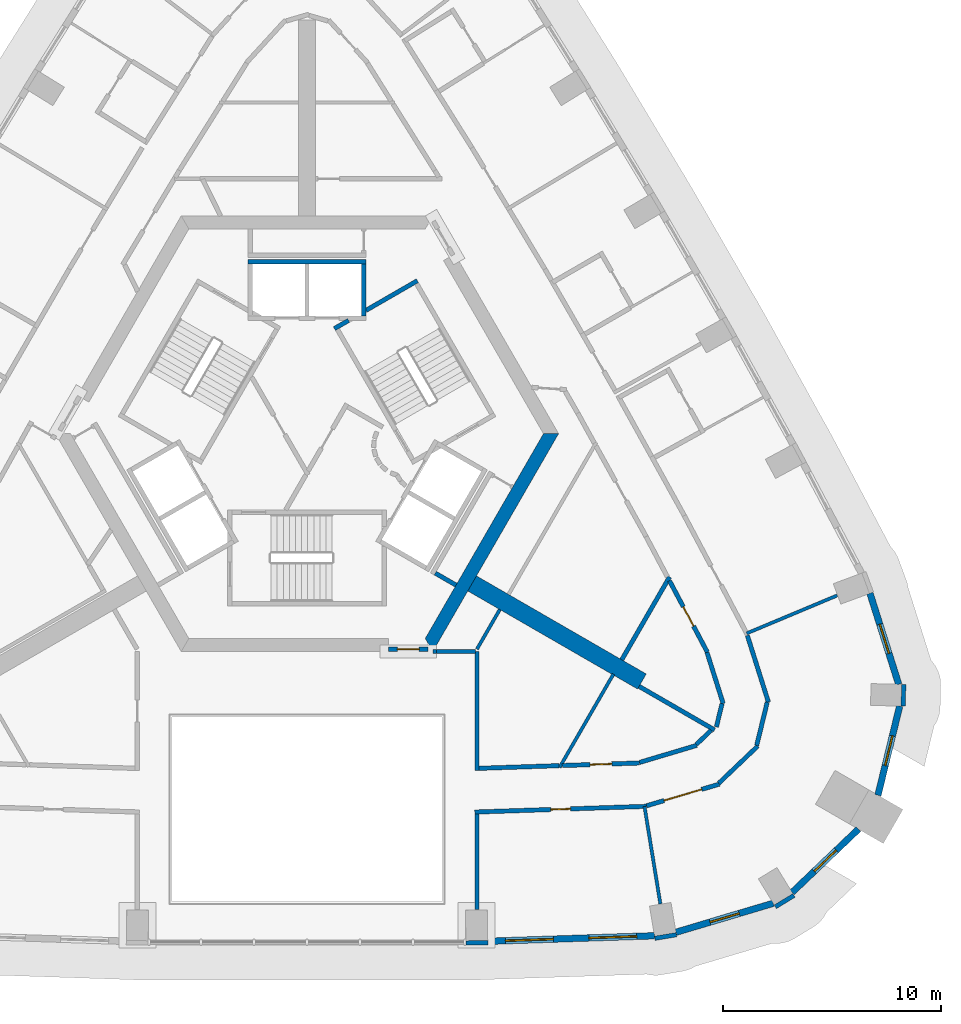
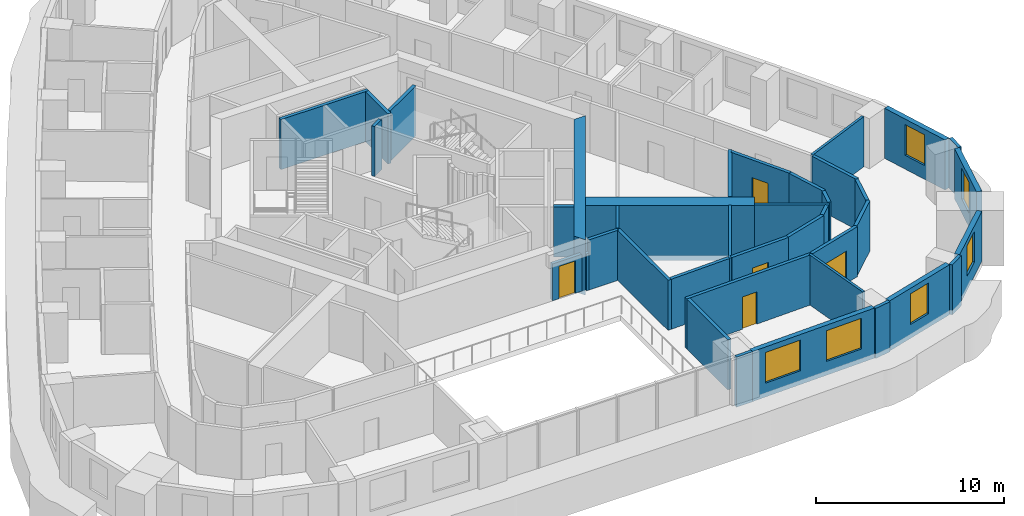
# One storey, part 6 of 13: 39 walls, 6 windows, 5 doors, 11 openings.
"""IFC4 building model written with IfcOpenShell, lengths in metres."""

from ifc_helpers import new_model, si_unit, direction, frame, frame_2d, origin, place, context, subcontext, project, spatial, polyline, rectangle, outline, extrude, material, layer, layer_set, type_object, element, fill, save


model = new_model("IFC4")

# Units and contexts
model_context = context("Model", 3, precision=1e-05, world=origin(), true_north=direction((0.0, 1.0)))
body_context = subcontext(model_context, "Body", "Model", "MODEL_VIEW")
ifc_project = project(units=[si_unit("LENGTHUNIT", "METRE"), si_unit("AREAUNIT", "SQUARE_METRE"), si_unit("VOLUMEUNIT", "CUBIC_METRE"), si_unit("PLANEANGLEUNIT", "RADIAN"), si_unit("MASSUNIT", "GRAM", prefix="KILO")], contexts=[model_context])

# Site, building, storey
site_placement = place(None, origin())
site = spatial("IfcSite", under=ifc_project, at=site_placement, CompositionType="ELEMENT")
building_placement = place(site_placement, origin())
building = spatial("IfcBuilding", under=site, at=building_placement, Name="Entoto Arch Interchange Tower", CompositionType="ELEMENT")
storey_placement = place(building_placement, frame((0.0, 0.0, 266.60009765625)))
storey = spatial("IfcBuildingStorey", under=building, at=storey_placement, Name="L61", CompositionType="ELEMENT", Elevation=266.60009765625)

# Wall
ifc_material_1 = material(Name="Concrete C40/50", Category="concrete")
ifc_layer_1 = layer(ifc_material_1, 0.800048828125)
ifc_layer_set_1 = layer_set([ifc_layer_1], Name="Concrete C40/50")
wall_type_1 = type_object("IfcWallType", Name="Buttress wall 800 C40/50", PredefinedType="SHEAR", material=ifc_layer_set_1)
wall_1_placement = place(storey_placement, frame((7.577880859375, -4.375, -0.340087890625), z_axis=(0.0, 0.0, 1.0), x_axis=(0.866024315419, -0.5000018851, 0.0)))
element("IfcWall", 1, at=wall_1_placement, inside=storey, type_object=wall_type_1, Name="Buttress wall SE L61", PredefinedType="SHEAR", context=body_context, shape_type="SweptSolid", body=[
    extrude(rectangle(XDim=9.0, YDim=0.800048828125, at=frame_2d((4.5, 0.0))), origin(), (0.0, 0.0, 1.0), 3.60009765625),
])

# Wall, opening, door
ifc_material_2 = material(Name="Reinforced concrete C40/50", Category="concrete")
ifc_layer_2 = layer(ifc_material_2, 0.199951171875)
ifc_layer_set_2 = layer_set([ifc_layer_2], Name="Reinforced concrete C40/50")
wall_type_2 = type_object("IfcWallType", Name="CORE GAP INFILL WALL", PredefinedType="PARTITIONING", material=ifc_layer_set_2)
wall_2_placement = place(storey_placement, frame((3.75, -7.39990234375, 0.0), z_axis=(0.0, 0.0, 1.0), x_axis=(1.0, 0.0, 0.0)))
wall_2 = element("IfcWall", 2, at=wall_2_placement, inside=storey, type_object=wall_type_2, Name="wall:L61:gap1", PredefinedType="PARTITIONING", context=body_context, shape_type="SweptSolid", body=[
    extrude(rectangle(XDim=1.7939453125, YDim=0.199951171875, at=frame_2d((0.89697265625, 0.0))), origin(), (0.0, 0.0, 1.0), 2.39990234375),
])
opening_1_placement = place(wall_2_placement, frame((0.39697265625, 0.0, 0.0)))
opening_1 = element("IfcOpeningElement", 3, at=opening_1_placement, cuts=wall_2, Name="Opening L61-D91", PredefinedType="OPENING", context=body_context, shape_type="SweptSolid", body=[
    extrude(rectangle(XDim=1.0, YDim=2.10009765625, at=frame_2d((0.5, 1.050048828125))), frame((0.0, 0.10986328125, 0.0), z_axis=(0.0, -1.0, 0.0), x_axis=(1.0, 0.0, 0.0)), (0.0, 0.0, 1.0), 0.219970703125),
])
ifc_material_3 = material(Name="Fire-rated Steel S235 door and frame", Category="steel")
door_type_1 = type_object("IfcDoorType", Name="DOOR FD-10 1000x2100", OperationType="SINGLE_SWING_LEFT", PredefinedType="DOOR", material=ifc_material_3)
door_1_placement = place(opening_1_placement, origin())
door_1 = element("IfcDoor", 4, at=door_1_placement, inside=storey, type_object=door_type_1, Name="door:L61:gap1", OperationType="SINGLE_SWING_LEFT", OverallHeight=2.10009765625, OverallWidth=1.0, PredefinedType="DOOR", context=body_context, shape_type="SweptSolid", body=[
    extrude(rectangle(XDim=1.0, YDim=2.10009765625, at=frame_2d((0.5, 1.050048828125))), frame((0.0, 0.02490234375, 0.0), z_axis=(0.0, -1.0, 0.0), x_axis=(1.0, 0.0, 0.0)), (0.0, 0.0, 1.0), 0.050048828125),
])
fill(opening_1, door_1)

# Walls
ifc_layer_3 = layer(ifc_material_1, 0.60009765625)
ifc_layer_set_3 = layer_set([ifc_layer_3], Name="Concrete C40/50")
wall_type_3 = type_object("IfcWallType", Name="Core wall 600 C40/50", PredefinedType="SHEAR", material=ifc_layer_set_3)
wall_3_placement = place(storey_placement, frame((0.0, 0.0, -0.340087890625)))
element("IfcWall", 5, at=wall_3_placement, inside=storey, type_object=wall_type_3, Name="Core wall SE L61", PredefinedType="SHEAR", context=body_context, shape_type="SweptSolid", body=[
    extrude(outline(polyline([(5.77392578125, -7.5), (11.547119140625, 2.5), (10.85400390625, 2.5), (5.427001953125, -6.89990234375), (5.77392578125, -7.5)])), origin(), (0.0, 0.0, 1.0), 3.60009765625),
])
ifc_layer_4 = layer(ifc_material_1, 0.199951171875)
ifc_layer_set_4 = layer_set([ifc_layer_4], Name="Concrete C40/50")
wall_type_4 = type_object("IfcWallType", Name="LIFT SHAFT WALL 200", PredefinedType="STANDARD", material=ifc_layer_set_4)
wall_4_placement = place(storey_placement, frame((2.699951171875, 10.39990234375, 0.0), z_axis=(0.0, 0.0, 1.0), x_axis=(-1.0, 0.0, 0.0)))
element("IfcWall", 6, at=wall_4_placement, inside=storey, type_object=wall_type_4, Name="Shaft wall N1 back", PredefinedType="STANDARD", context=body_context, shape_type="SweptSolid", body=[
    extrude(rectangle(XDim=5.39990234375, YDim=0.199951171875, at=frame_2d((2.699951171875, 0.0))), origin(), (0.0, 0.0, 1.0), 3.260009765625),
])
wall_5_placement = place(storey_placement, frame((2.60009765625, 7.89990234375, 0.0), z_axis=(0.0, 0.0, 1.0), x_axis=(0.0, 1.0, 0.0)))
element("IfcWall", 7, at=wall_5_placement, inside=storey, type_object=wall_type_4, Name="Shaft wall N1 cross 1", PredefinedType="STANDARD", context=body_context, shape_type="SweptSolid", body=[
    extrude(rectangle(XDim=2.400146484375, YDim=0.199951171875, at=frame_2d((1.2001953125, 0.0))), origin(), (0.0, 0.0, 1.0), 3.260009765625),
])
ifc_material_4 = material(Name="Gypsum board partition on steel studs", Category="steel")
ifc_layer_5 = layer(ifc_material_4, 0.14990234375)
ifc_layer_set_5 = layer_set([ifc_layer_5], Name="Gypsum board partition on steel studs")
wall_type_5 = type_object("IfcWallType", Name="PARTITION 150", PredefinedType="PARTITIONING", material=ifc_layer_set_5)
wall_6_placement = place(storey_placement, frame((7.800048828125, -7.389892578125, 0.0), z_axis=(0.0, 0.0, 1.0), x_axis=(0.499977374825, 0.866038466041, 0.0)))
element("IfcWall", 8, at=wall_6_placement, inside=storey, type_object=wall_type_5, Name="wall:L61:p085", PredefinedType="PARTITIONING", context=body_context, shape_type="SweptSolid", body=[
    extrude(rectangle(XDim=2.10009765625, YDim=0.14990234375, at=frame_2d((1.050048828125, 0.0))), origin(), (0.0, 0.0, 1.0), 3.260009765625),
])
wall_7_placement = place(storey_placement, frame((14.06689453125, -8.535888671875, 0.0), z_axis=(0.0, 0.0, 1.0), x_axis=(-0.500100941679, -0.865967117235, 0.0)))
element("IfcWall", 9, at=wall_7_placement, inside=storey, type_object=wall_type_5, Name="wall:L61:p105", PredefinedType="PARTITIONING", context=body_context, shape_type="SweptSolid", body=[
    extrude(rectangle(XDim=4.95068359375, YDim=0.14990234375, at=frame_2d((2.475341796875, 0.0))), origin(), (0.0, 0.0, 1.0), 3.260009765625),
])
wall_8_placement = place(storey_placement, frame((15.490966796875, -14.610107421875, 0.0), z_axis=(0.0, 0.0, 1.0), x_axis=(0.160928343418, -0.986966092774, 0.0)))
element("IfcWall", 10, at=wall_8_placement, inside=storey, type_object=wall_type_5, Name="wall:L61:p111", PredefinedType="PARTITIONING", context=body_context, shape_type="SweptSolid", body=[
    extrude(rectangle(XDim=4.530029296875, YDim=0.14990234375, at=frame_2d((2.26513671875, 0.0))), origin(), (0.0, 0.0, 1.0), 3.260009765625),
])
wall_9_placement = place(storey_placement, frame((20.18310546875, -6.666015625, 0.0), z_axis=(0.0, 0.0, 1.0), x_axis=(0.922347108299, 0.386362280525, 0.0)))
element("IfcWall", 11, at=wall_9_placement, inside=storey, type_object=wall_type_5, Name="wall:L61:p112", PredefinedType="PARTITIONING", context=body_context, shape_type="SweptSolid", body=[
    extrude(rectangle(XDim=4.50341796875, YDim=0.14990234375, at=frame_2d((2.251708984375, 0.0))), origin(), (0.0, 0.0, 1.0), 3.260009765625),
])
ifc_layer_6 = layer(ifc_material_4, 0.199951171875)
ifc_layer_set_6 = layer_set([ifc_layer_6], Name="Gypsum board partition on steel studs")
wall_type_6 = type_object("IfcWallType", Name="PARTITION 200", PredefinedType="PARTITIONING", material=ifc_layer_set_6)
wall_10_placement = place(storey_placement, frame((7.89990234375, -12.861083984375, 0.0), z_axis=(0.0, 0.0, 1.0), x_axis=(0.999446088303, 0.033279371614, 0.0)))
element("IfcWall", 12, at=wall_10_placement, inside=storey, type_object=wall_type_6, Name="wall:L61:p020", PredefinedType="PARTITIONING", context=body_context, shape_type="SweptSolid", body=[
    extrude(rectangle(XDim=3.66796875, YDim=0.199951171875, at=frame_2d((1.833984375, 0.0))), origin(), (0.0, 0.0, 1.0), 3.260009765625),
])

# Wall, opening, door
wall_11_placement = place(storey_placement, frame((11.716064453125, -12.73388671875, 0.0), z_axis=(0.0, 0.0, 1.0), x_axis=(0.999449093602, 0.03318899362, 0.0)))
wall_11 = element("IfcWall", 13, at=wall_11_placement, inside=storey, type_object=wall_type_6, Name="wall:L61:p023", PredefinedType="PARTITIONING", context=body_context, shape_type="SweptSolid", body=[
    extrude(rectangle(XDim=3.552978515625, YDim=0.199951171875, at=frame_2d((1.7763671875, 0.0))), origin(), (0.0, 0.0, 1.0), 3.260009765625),
])
opening_2_placement = place(wall_11_placement, frame((1.27587890625, 0.0, 0.0)))
opening_2 = element("IfcOpeningElement", 14, at=opening_2_placement, cuts=wall_11, Name="Opening L61-D25", PredefinedType="OPENING", context=body_context, shape_type="SweptSolid", body=[
    extrude(rectangle(XDim=1.0, YDim=2.10009765625, at=frame_2d((0.5, 1.050048828125))), frame((0.0, 0.10986328125, 0.0), z_axis=(0.0, -1.0, 0.0), x_axis=(1.0, 0.0, 0.0)), (0.0, 0.0, 1.0), 0.219970703125),
])
ifc_material_5 = material(Name="Timber door leaf in Steel S235 frame", Category="steel")
door_type_2 = type_object("IfcDoorType", Name="DOOR DS-10 1000x2100", OperationType="SINGLE_SWING_LEFT", PredefinedType="DOOR", material=ifc_material_5)
door_2_placement = place(opening_2_placement, origin())
door_2 = element("IfcDoor", 15, at=door_2_placement, inside=storey, type_object=door_type_2, Name="door:L61:25", OperationType="SINGLE_SWING_LEFT", OverallHeight=2.10009765625, OverallWidth=1.0, PredefinedType="DOOR", context=body_context, shape_type="SweptSolid", body=[
    extrude(rectangle(XDim=1.0, YDim=2.10009765625, at=frame_2d((0.5, 1.050048828125))), frame((0.0, 0.02490234375, 0.0), z_axis=(0.0, -1.0, 0.0), x_axis=(1.0, 0.0, 0.0)), (0.0, 0.0, 1.0), 0.050048828125),
])
fill(opening_2, door_2)

# Walls
wall_12_placement = place(storey_placement, frame((15.262939453125, -12.591064453125, 0.0), z_axis=(0.0, 0.0, 1.0), x_axis=(0.958253964342, 0.285918414628, 0.0)))
element("IfcWall", 16, at=wall_12_placement, inside=storey, type_object=wall_type_6, Name="wall:L61:p024", PredefinedType="PARTITIONING", context=body_context, shape_type="SweptSolid", body=[
    extrude(rectangle(XDim=2.74267578125, YDim=0.199951171875, at=frame_2d((1.371337890625, 0.0))), origin(), (0.0, 0.0, 1.0), 3.260009765625),
])
wall_13_placement = place(storey_placement, frame((17.867919921875, -11.76708984375, 0.0), z_axis=(0.0, 0.0, 1.0), x_axis=(0.723402701671, 0.690426340181, 0.0)))
element("IfcWall", 17, at=wall_13_placement, inside=storey, type_object=wall_type_6, Name="wall:L61:p025", PredefinedType="PARTITIONING", context=body_context, shape_type="SweptSolid", body=[
    extrude(rectangle(XDim=0.940185546875, YDim=0.199951171875, at=frame_2d((0.47021484375, 0.0))), origin(), (0.0, 0.0, 1.0), 3.260009765625),
])
wall_14_placement = place(storey_placement, frame((18.791015625, -10.9609375, 0.0), z_axis=(0.0, 0.0, 1.0), x_axis=(0.236572634589, 0.971613806285, 0.0)))
element("IfcWall", 18, at=wall_14_placement, inside=storey, type_object=wall_type_6, Name="wall:L61:p026", PredefinedType="PARTITIONING", context=body_context, shape_type="SweptSolid", body=[
    extrude(rectangle(XDim=1.09912109375, YDim=0.199951171875, at=frame_2d((0.549560546875, 0.0))), origin(), (0.0, 0.0, 1.0), 3.260009765625),
])
wall_15_placement = place(storey_placement, frame((19.10400390625, -9.89111328125, 0.0), z_axis=(0.0, 0.0, 1.0), x_axis=(-0.301325410186, 0.953521366922, 0.0)))
element("IfcWall", 19, at=wall_15_placement, inside=storey, type_object=wall_type_6, Name="wall:L61:p027", PredefinedType="PARTITIONING", context=body_context, shape_type="SweptSolid", body=[
    extrude(rectangle(XDim=2.46875, YDim=0.199951171875, at=frame_2d((1.234375, 0.0))), origin(), (0.0, 0.0, 1.0), 3.260009765625),
])

# Wall, opening, door
wall_16_placement = place(storey_placement, frame((18.376953125, -7.530029296875, 0.0), z_axis=(0.0, 0.0, 1.0), x_axis=(-0.468214048123, 0.883615077474, 0.0)))
wall_16 = element("IfcWall", 20, at=wall_16_placement, inside=storey, type_object=wall_type_6, Name="wall:L61:p028", PredefinedType="PARTITIONING", context=body_context, shape_type="SweptSolid", body=[
    extrude(rectangle(XDim=3.712158203125, YDim=0.199951171875, at=frame_2d((1.85595703125, 0.0))), origin(), (0.0, 0.0, 1.0), 3.260009765625),
])
opening_3_placement = place(wall_16_placement, frame((1.35595703125, 0.0, 0.0)))
opening_3 = element("IfcOpeningElement", 21, at=opening_3_placement, cuts=wall_16, Name="Opening L61-D26", PredefinedType="OPENING", context=body_context, shape_type="SweptSolid", body=[
    extrude(rectangle(XDim=1.0, YDim=2.10009765625, at=frame_2d((0.5, 1.050048828125))), frame((0.0, 0.10986328125, 0.0), z_axis=(0.0, -1.0, 0.0), x_axis=(1.0, 0.0, 0.0)), (0.0, 0.0, 1.0), 0.219970703125),
])
door_3_placement = place(opening_3_placement, origin())
door_3 = element("IfcDoor", 22, at=door_3_placement, inside=storey, type_object=door_type_2, Name="door:L61:26", OperationType="SINGLE_SWING_RIGHT", OverallHeight=2.10009765625, OverallWidth=1.0, PredefinedType="DOOR", context=body_context, shape_type="SweptSolid", body=[
    extrude(rectangle(XDim=1.0, YDim=2.10009765625, at=frame_2d((0.5, 1.050048828125))), frame((0.0, 0.02490234375, 0.0), z_axis=(0.0, -1.0, 0.0), x_axis=(1.0, 0.0, 0.0)), (0.0, 0.0, 1.0), 0.050048828125),
])
fill(opening_3, door_3)

wall_17_placement = place(storey_placement, frame((15.591064453125, -14.60595703125, 0.0), z_axis=(0.0, 0.0, 1.0), x_axis=(-0.999445318732, -0.03330247535, 0.0)))
wall_17 = element("IfcWall", 23, at=wall_17_placement, inside=storey, type_object=wall_type_6, Name="wall:L61:p038", PredefinedType="PARTITIONING", context=body_context, shape_type="SweptSolid", body=[
    extrude(rectangle(XDim=7.8955078125, YDim=0.199951171875, at=frame_2d((3.94775390625, 0.0))), origin(), (0.0, 0.0, 1.0), 3.260009765625),
])
opening_4_placement = place(wall_17_placement, frame((3.498046875, 0.0, 0.0)))
opening_4 = element("IfcOpeningElement", 24, at=opening_4_placement, cuts=wall_17, Name="Opening L61-D19", PredefinedType="OPENING", context=body_context, shape_type="SweptSolid", body=[
    extrude(rectangle(XDim=0.89990234375, YDim=2.10009765625, at=frame_2d((0.449951171875, 1.050048828125))), frame((0.0, 0.10986328125, 0.0), z_axis=(0.0, -1.0, 0.0), x_axis=(1.0, 0.0, 0.0)), (0.0, 0.0, 1.0), 0.219970703125),
])
door_type_3 = type_object("IfcDoorType", Name="DOOR DS-09 900x2100", OperationType="SINGLE_SWING_LEFT", PredefinedType="DOOR", material=ifc_material_5)
door_4_placement = place(opening_4_placement, origin())
door_4 = element("IfcDoor", 25, at=door_4_placement, inside=storey, type_object=door_type_3, Name="door:L61:19", OperationType="SINGLE_SWING_LEFT", OverallHeight=2.10009765625, OverallWidth=0.89990234375, PredefinedType="DOOR", context=body_context, shape_type="SweptSolid", body=[
    extrude(rectangle(XDim=0.89990234375, YDim=2.10009765625, at=frame_2d((0.449951171875, 1.050048828125))), frame((0.0, 0.02490234375, 0.0), z_axis=(0.0, -1.0, 0.0), x_axis=(1.0, 0.0, 0.0)), (0.0, 0.0, 1.0), 0.050048828125),
])
fill(opening_4, door_4)

# Walls
wall_18_placement = place(storey_placement, frame((20.212890625, -6.760986328125, 0.0), z_axis=(0.0, 0.0, 1.0), x_axis=(0.301331608119, -0.953519408271, 0.0)))
element("IfcWall", 26, at=wall_18_placement, inside=storey, type_object=wall_type_6, Name="wall:L61:p039", PredefinedType="PARTITIONING", context=body_context, shape_type="SweptSolid", body=[
    extrude(rectangle(XDim=3.209228515625, YDim=0.199951171875, at=frame_2d((1.6044921875, 0.0))), origin(), (0.0, 0.0, 1.0), 3.260009765625),
])
wall_19_placement = place(storey_placement, frame((21.1259765625, -9.822998046875, 0.0), z_axis=(0.0, 0.0, 1.0), x_axis=(-0.236372924437, -0.971662410816, 0.0)))
element("IfcWall", 27, at=wall_19_placement, inside=storey, type_object=wall_type_6, Name="wall:L61:p040", PredefinedType="PARTITIONING", context=body_context, shape_type="SweptSolid", body=[
    extrude(rectangle(XDim=2.04296875, YDim=0.199951171875, at=frame_2d((1.021484375, 0.0))), origin(), (0.0, 0.0, 1.0), 3.260009765625),
])
wall_20_placement = place(storey_placement, frame((20.69189453125, -11.8369140625, 0.0), z_axis=(0.0, 0.0, 1.0), x_axis=(-0.723668833869, -0.690147389248, 0.0)))
element("IfcWall", 28, at=wall_20_placement, inside=storey, type_object=wall_type_6, Name="wall:L61:p041", PredefinedType="PARTITIONING", context=body_context, shape_type="SweptSolid", body=[
    extrude(rectangle(XDim=2.476318359375, YDim=0.199951171875, at=frame_2d((1.23828125, 0.0))), origin(), (0.0, 0.0, 1.0), 3.260009765625),
])

# Wall, opening, door
wall_21_placement = place(storey_placement, frame((18.924072265625, -13.5869140625, 0.0), z_axis=(0.0, 0.0, 1.0), x_axis=(-0.958378336681, -0.285501250052, 0.0)))
wall_21 = element("IfcWall", 29, at=wall_21_placement, inside=storey, type_object=wall_type_6, Name="wall:L61:p042", PredefinedType="PARTITIONING", context=body_context, shape_type="SweptSolid", body=[
    extrude(rectangle(XDim=3.482177734375, YDim=0.199951171875, at=frame_2d((1.7412109375, 0.0))), origin(), (0.0, 0.0, 1.0), 3.260009765625),
])
opening_5_placement = place(wall_21_placement, frame((0.841064453125, 0.0, 0.0)))
opening_5 = element("IfcOpeningElement", 30, at=opening_5_placement, cuts=wall_21, Name="Opening L61-D20", PredefinedType="OPENING", context=body_context, shape_type="SweptSolid", body=[
    extrude(rectangle(XDim=1.800048828125, YDim=2.10009765625, at=frame_2d((0.89990234375, 1.050048828125))), frame((0.0, 0.10986328125, 0.0), z_axis=(0.0, -1.0, 0.0), x_axis=(1.0, 0.0, 0.0)), (0.0, 0.0, 1.0), 0.219970703125),
])
door_type_4 = type_object("IfcDoorType", Name="DOOR DD-18 1800x2100", OperationType="DOUBLE_DOOR_SINGLE_SWING", PredefinedType="DOOR", material=ifc_material_5)
door_5_placement = place(opening_5_placement, origin())
door_5 = element("IfcDoor", 31, at=door_5_placement, inside=storey, type_object=door_type_4, Name="door:L61:20", OperationType="DOUBLE_DOOR_SINGLE_SWING", OverallHeight=2.10009765625, OverallWidth=1.800048828125, PredefinedType="DOOR", context=body_context, shape_type="SweptSolid", body=[
    extrude(rectangle(XDim=1.800048828125, YDim=2.10009765625, at=frame_2d((0.89990234375, 1.050048828125))), frame((0.0, 0.02490234375, 0.0), z_axis=(0.0, -1.0, 0.0), x_axis=(1.0, 0.0, 0.0)), (0.0, 0.0, 1.0), 0.050048828125),
])
fill(opening_5, door_5)

# Walls
wall_22_placement = place(storey_placement, frame((6.841064453125, -4.451904296875, 0.0), z_axis=(0.0, 0.0, 1.0), x_axis=(-0.86621513555, 0.499671230855, 0.0)))
element("IfcWall", 32, at=wall_22_placement, inside=storey, type_object=wall_type_6, Name="wall:L61:p077", PredefinedType="PARTITIONING", context=body_context, shape_type="SweptSolid", body=[
    extrude(rectangle(XDim=1.100341796875, YDim=0.199951171875, at=frame_2d((0.55029296875, 0.0))), origin(), (0.0, 0.0, 1.0), 3.260009765625),
])
wall_23_placement = place(storey_placement, frame((5.77490234375, -7.4990234375, 0.0), z_axis=(0.0, 0.0, 1.0), x_axis=(1.0, 0.0, 0.0)))
element("IfcWall", 33, at=wall_23_placement, inside=storey, type_object=wall_type_6, Name="wall:L61:p084", PredefinedType="PARTITIONING", context=body_context, shape_type="SweptSolid", body=[
    extrude(rectangle(XDim=0.169189453125, YDim=0.199951171875, at=frame_2d((0.08447265625, 0.0))), origin(), (0.0, 0.0, 1.0), 2.39990234375),
])
wall_24_placement = place(storey_placement, frame((7.800048828125, -7.4990234375, 0.0), z_axis=(0.0, 0.0, 1.0), x_axis=(0.0, -1.0, 0.0)))
element("IfcWall", 34, at=wall_24_placement, inside=storey, type_object=wall_type_6, Name="wall:L61:p098", PredefinedType="PARTITIONING", context=body_context, shape_type="SweptSolid", body=[
    extrude(rectangle(XDim=5.465087890625, YDim=0.199951171875, at=frame_2d((2.732421875, 0.0))), origin(), (0.0, 0.0, 1.0), 3.260009765625),
])
wall_25_placement = place(storey_placement, frame((7.800048828125, -14.966064453125, 0.0), z_axis=(0.0, 0.0, 1.0), x_axis=(0.0, -1.0, 0.0)))
element("IfcWall", 35, at=wall_25_placement, inside=storey, type_object=wall_type_6, Name="wall:L61:p102", PredefinedType="PARTITIONING", context=body_context, shape_type="SweptSolid", body=[
    extrude(rectangle(XDim=4.383056640625, YDim=0.199951171875, at=frame_2d((2.19140625, 0.0))), origin(), (0.0, 0.0, 1.0), 3.260009765625),
])
wall_26_placement = place(storey_placement, frame((16.64208984375, -4.074951171875, 0.0), z_axis=(0.0, 0.0, 1.0), x_axis=(-0.49980426207, -0.866138383641, 0.0)))
element("IfcWall", 36, at=wall_26_placement, inside=storey, type_object=wall_type_6, Name="wall:L61:p106", PredefinedType="PARTITIONING", context=body_context, shape_type="SweptSolid", body=[
    extrude(rectangle(XDim=4.391845703125, YDim=0.199951171875, at=frame_2d((2.19580078125, 0.0))), origin(), (0.0, 0.0, 1.0), 3.260009765625),
])
wall_27_placement = place(storey_placement, frame((15.242919921875, -9.09912109375, 0.0), z_axis=(0.0, 0.0, 1.0), x_axis=(0.866026010844, -0.49999894854, 0.0)))
element("IfcWall", 37, at=wall_27_placement, inside=storey, type_object=wall_type_6, Name="wall:L61:p107", PredefinedType="PARTITIONING", context=body_context, shape_type="SweptSolid", body=[
    extrude(rectangle(XDim=4.0, YDim=0.199951171875, at=frame_2d((2.0, 0.0))), origin(), (0.0, 0.0, 1.0), 3.260009765625),
])
wall_28_placement = place(storey_placement, frame((5.944091796875, -7.4990234375, 0.0), z_axis=(0.0, 0.0, 1.0), x_axis=(1.0, 0.0, 0.0)))
element("IfcWall", 38, at=wall_28_placement, inside=storey, type_object=wall_type_6, Name="wall:L61:p084", PredefinedType="PARTITIONING", context=body_context, shape_type="SweptSolid", body=[
    extrude(rectangle(XDim=1.79296875, YDim=0.199951171875, at=frame_2d((0.896484375, 0.0))), origin(), (0.0, 0.0, 1.0), 3.260009765625),
])
ifc_layer_7 = layer(ifc_material_1, 0.199951171875)
ifc_layer_set_7 = layer_set([ifc_layer_7], Name="Concrete C40/50")
wall_type_7 = type_object("IfcWallType", Name="STAIR ENCLOSURE WALL 200", PredefinedType="STANDARD", material=ifc_layer_set_7)
wall_29_placement = place(storey_placement, frame((2.699951171875, 8.157958984375, 0.0), z_axis=(0.0, 0.0, 1.0), x_axis=(0.86611865017, 0.499838457731, 0.0)))
element("IfcWall", 39, at=wall_29_placement, inside=storey, type_object=wall_type_7, Name="Stair wall ST-NE far", PredefinedType="STANDARD", context=body_context, shape_type="SweptSolid", body=[
    extrude(rectangle(XDim=2.73291015625, YDim=0.199951171875, at=frame_2d((1.366455078125, 0.0))), origin(), (0.0, 0.0, 1.0), 3.260009765625),
])
wall_30_placement = place(storey_placement, frame((1.256103515625, 7.323974609375, 0.0), z_axis=(0.0, 0.0, 1.0), x_axis=(0.865915093549, 0.500191014278, 0.0)))
element("IfcWall", 40, at=wall_30_placement, inside=storey, type_object=wall_type_7, Name="Stair wall ST-NE far return", PredefinedType="STANDARD", context=body_context, shape_type="SweptSolid", body=[
    extrude(rectangle(XDim=0.751708984375, YDim=0.199951171875, at=frame_2d((0.3759765625, 0.0))), origin(), (0.0, 0.0, 1.0), 3.260009765625),
])

# Wall, openings, windows
ifc_material_6 = material(Name="Welded tuff (ignimbrite) cladding, warm buff", Category="masonry")
ifc_layer_8 = layer(ifc_material_6, 0.300048828125)
ifc_layer_set_8 = layer_set([ifc_layer_8], Name="Welded tuff (ignimbrite) cladding, warm buff")
wall_type_8 = type_object("IfcWallType", Name="STONE INFILL WALL 300", PredefinedType="STANDARD", material=ifc_layer_set_8)
wall_31_placement = place(storey_placement, frame((8.2958984375, -20.802001953125, 0.0), z_axis=(0.0, 0.0, 1.0), x_axis=(0.999450376985, 0.033150323459, 0.0)))
wall_31 = element("IfcWall", 41, at=wall_31_placement, inside=storey, type_object=wall_type_8, Name="Facade wall S-03 L61", PredefinedType="STANDARD", context=body_context, shape_type="SweptSolid", body=[
    extrude(rectangle(XDim=7.6591796875, YDim=0.300048828125, at=frame_2d((3.82958984375, 0.0))), origin(), (0.0, 0.0, 1.0), 3.260009765625),
])
opening_6_placement = place(wall_31_placement, frame((0.81494140625, 0.0, 0.89990234375)))
opening_6 = element("IfcOpeningElement", 42, at=opening_6_placement, cuts=wall_31, Name="Opening WH-A", PredefinedType="OPENING", context=body_context, shape_type="SweptSolid", body=[
    extrude(rectangle(XDim=2.199951171875, YDim=2.0, at=frame_2d((1.10009765625, 1.0))), frame((0.0, 0.16015625, 0.0), z_axis=(0.0, -1.0, 0.0), x_axis=(1.0, 0.0, 0.0)), (0.0, 0.0, 1.0), 0.320068359375),
])
opening_7_placement = place(wall_31_placement, frame((4.64404296875, 0.0, 0.89990234375)))
opening_7 = element("IfcOpeningElement", 43, at=opening_7_placement, cuts=wall_31, Name="Opening WH-A", PredefinedType="OPENING", context=body_context, shape_type="SweptSolid", body=[
    extrude(rectangle(XDim=2.199951171875, YDim=2.0, at=frame_2d((1.10009765625, 1.0))), frame((0.0, 0.16015625, 0.0), z_axis=(0.0, -1.0, 0.0), x_axis=(1.0, 0.0, 0.0)), (0.0, 0.0, 1.0), 0.320068359375),
])
ifc_material_7 = material(Name="Clear glass, low-e double glazed", Category="glass")
window_type_1 = type_object("IfcWindowType", Name="WINDOW WH-A 2200x2000", PartitioningType="DOUBLE_PANEL_VERTICAL", PredefinedType="WINDOW", material=ifc_material_7)
window_1_placement = place(opening_6_placement, origin())
window_1 = element("IfcWindow", 44, at=window_1_placement, inside=storey, type_object=window_type_1, Name="Window WH-A S-03 L61", OverallHeight=2.0, OverallWidth=2.199951171875, PartitioningType="SINGLE_PANEL", PredefinedType="WINDOW", context=body_context, shape_type="SweptSolid", body=[
    extrude(rectangle(XDim=2.199951171875, YDim=2.0, at=frame_2d((1.10009765625, 1.0))), frame((0.0, 0.030029296875, 0.0), z_axis=(0.0, -1.0, 0.0), x_axis=(1.0, 0.0, 0.0)), (0.0, 0.0, 1.0), 0.06005859375),
])
fill(opening_6, window_1)
window_2_placement = place(opening_7_placement, origin())
window_2 = element("IfcWindow", 45, at=window_2_placement, inside=storey, type_object=window_type_1, Name="Window WH-A S-03 L61", OverallHeight=2.0, OverallWidth=2.199951171875, PartitioningType="SINGLE_PANEL", PredefinedType="WINDOW", context=body_context, shape_type="SweptSolid", body=[
    extrude(rectangle(XDim=2.199951171875, YDim=2.0, at=frame_2d((1.10009765625, 1.0))), frame((0.0, 0.030029296875, 0.0), z_axis=(0.0, -1.0, 0.0), x_axis=(1.0, 0.0, 0.0)), (0.0, 0.0, 1.0), 0.06005859375),
])
fill(opening_7, window_2)

# Wall, opening, window
wall_32_placement = place(storey_placement, frame((16.93701171875, -20.386962890625, 0.0), z_axis=(0.0, 0.0, 1.0), x_axis=(0.958361270465, 0.285558532131, 0.0)))
wall_32 = element("IfcWall", 46, at=wall_32_placement, inside=storey, type_object=wall_type_8, Name="Facade wall SE-01 L61", PredefinedType="STANDARD", context=body_context, shape_type="SweptSolid", body=[
    extrude(rectangle(XDim=4.65771484375, YDim=0.300048828125, at=frame_2d((2.328857421875, 0.0))), origin(), (0.0, 0.0, 1.0), 3.260009765625),
])
opening_8_placement = place(wall_32_placement, frame((1.62890625, 0.0, 0.89990234375)))
opening_8 = element("IfcOpeningElement", 47, at=opening_8_placement, cuts=wall_32, Name="Opening WH-B", PredefinedType="OPENING", context=body_context, shape_type="SweptSolid", body=[
    extrude(rectangle(XDim=1.39990234375, YDim=2.0, at=frame_2d((0.699951171875, 1.0))), frame((0.0, 0.16015625, 0.0), z_axis=(0.0, -1.0, 0.0), x_axis=(1.0, 0.0, 0.0)), (0.0, 0.0, 1.0), 0.320068359375),
])
window_type_2 = type_object("IfcWindowType", Name="WINDOW WH-B 1400x2000", PartitioningType="DOUBLE_PANEL_VERTICAL", PredefinedType="WINDOW", material=ifc_material_7)
window_3_placement = place(opening_8_placement, origin())
window_3 = element("IfcWindow", 48, at=window_3_placement, inside=storey, type_object=window_type_2, Name="Window WH-B SE-01 L61", OverallHeight=2.0, OverallWidth=1.39990234375, PartitioningType="SINGLE_PANEL", PredefinedType="WINDOW", context=body_context, shape_type="SweptSolid", body=[
    extrude(rectangle(XDim=1.39990234375, YDim=2.0, at=frame_2d((0.699951171875, 1.0))), frame((0.0, 0.030029296875, 0.0), z_axis=(0.0, -1.0, 0.0), x_axis=(1.0, 0.0, 0.0)), (0.0, 0.0, 1.0), 0.06005859375),
])
fill(opening_8, window_3)

wall_33_placement = place(storey_placement, frame((22.26611328125, -18.55908203125, 0.0), z_axis=(0.0, 0.0, 1.0), x_axis=(0.723526681061, 0.690296415892, 0.0)))
wall_33 = element("IfcWall", 49, at=wall_33_placement, inside=storey, type_object=wall_type_8, Name="Facade wall SE-02 L61", PredefinedType="STANDARD", context=body_context, shape_type="SweptSolid", body=[
    extrude(rectangle(XDim=4.209716796875, YDim=0.300048828125, at=frame_2d((2.10498046875, 0.0))), origin(), (0.0, 0.0, 1.0), 3.260009765625),
])
opening_9_placement = place(wall_33_placement, frame((1.405029296875, 0.0, 0.89990234375)))
opening_9 = element("IfcOpeningElement", 50, at=opening_9_placement, cuts=wall_33, Name="Opening WH-B", PredefinedType="OPENING", context=body_context, shape_type="SweptSolid", body=[
    extrude(rectangle(XDim=1.39990234375, YDim=2.0, at=frame_2d((0.699951171875, 1.0))), frame((0.0, 0.16015625, 0.0), z_axis=(0.0, -1.0, 0.0), x_axis=(1.0, 0.0, 0.0)), (0.0, 0.0, 1.0), 0.320068359375),
])
window_4_placement = place(opening_9_placement, origin())
window_4 = element("IfcWindow", 51, at=window_4_placement, inside=storey, type_object=window_type_2, Name="Window WH-B SE-02 L61", OverallHeight=2.0, OverallWidth=1.39990234375, PartitioningType="SINGLE_PANEL", PredefinedType="WINDOW", context=body_context, shape_type="SweptSolid", body=[
    extrude(rectangle(XDim=1.39990234375, YDim=2.0, at=frame_2d((0.699951171875, 1.0))), frame((0.0, 0.030029296875, 0.0), z_axis=(0.0, -1.0, 0.0), x_axis=(1.0, 0.0, 0.0)), (0.0, 0.0, 1.0), 0.06005859375),
])
fill(opening_9, window_4)

wall_34_placement = place(storey_placement, frame((26.2109375, -14.094970703125, 0.0), z_axis=(0.0, 0.0, 1.0), x_axis=(0.236077883519, 0.97173413695, 0.0)))
wall_34 = element("IfcWall", 52, at=wall_34_placement, inside=storey, type_object=wall_type_8, Name="Facade wall SE-03 L61", PredefinedType="STANDARD", context=body_context, shape_type="SweptSolid", body=[
    extrude(rectangle(XDim=4.211181640625, YDim=0.300048828125, at=frame_2d((2.10546875, 0.0))), origin(), (0.0, 0.0, 1.0), 3.260009765625),
])
opening_10_placement = place(wall_34_placement, frame((1.405029296875, 0.0, 0.89990234375)))
opening_10 = element("IfcOpeningElement", 53, at=opening_10_placement, cuts=wall_34, Name="Opening WH-B", PredefinedType="OPENING", context=body_context, shape_type="SweptSolid", body=[
    extrude(rectangle(XDim=1.39990234375, YDim=2.0, at=frame_2d((0.699951171875, 1.0))), frame((0.0, 0.16015625, 0.0), z_axis=(0.0, -1.0, 0.0), x_axis=(1.0, 0.0, 0.0)), (0.0, 0.0, 1.0), 0.320068359375),
])
window_5_placement = place(opening_10_placement, origin())
window_5 = element("IfcWindow", 54, at=window_5_placement, inside=storey, type_object=window_type_2, Name="Window WH-B SE-03 L61", OverallHeight=2.0, OverallWidth=1.39990234375, PartitioningType="SINGLE_PANEL", PredefinedType="WINDOW", context=body_context, shape_type="SweptSolid", body=[
    extrude(rectangle(XDim=1.39990234375, YDim=2.0, at=frame_2d((0.699951171875, 1.0))), frame((0.0, 0.030029296875, 0.0), z_axis=(0.0, -1.0, 0.0), x_axis=(1.0, 0.0, 0.0)), (0.0, 0.0, 1.0), 0.06005859375),
])
fill(opening_10, window_5)

wall_35_placement = place(storey_placement, frame((27.160888671875, -9.00390625, 0.0), z_axis=(0.0, 0.0, 1.0), x_axis=(-0.30108868778, 0.953596142028, 0.0)))
wall_35 = element("IfcWall", 55, at=wall_35_placement, inside=storey, type_object=wall_type_8, Name="Facade wall SE-04 L61", PredefinedType="STANDARD", context=body_context, shape_type="SweptSolid", body=[
    extrude(rectangle(XDim=4.38037109375, YDim=0.300048828125, at=frame_2d((2.190185546875, 0.0))), origin(), (0.0, 0.0, 1.0), 3.260009765625),
])
opening_11_placement = place(wall_35_placement, frame((1.489990234375, 0.0, 0.89990234375)))
opening_11 = element("IfcOpeningElement", 56, at=opening_11_placement, cuts=wall_35, Name="Opening WH-B", PredefinedType="OPENING", context=body_context, shape_type="SweptSolid", body=[
    extrude(rectangle(XDim=1.39990234375, YDim=2.0, at=frame_2d((0.699951171875, 1.0))), frame((0.0, 0.16015625, 0.0), z_axis=(0.0, -1.0, 0.0), x_axis=(1.0, 0.0, 0.0)), (0.0, 0.0, 1.0), 0.320068359375),
])
window_6_placement = place(opening_11_placement, origin())
window_6 = element("IfcWindow", 57, at=window_6_placement, inside=storey, type_object=window_type_2, Name="Window WH-B SE-04 L61", OverallHeight=2.0, OverallWidth=1.39990234375, PartitioningType="SINGLE_PANEL", PredefinedType="WINDOW", context=body_context, shape_type="SweptSolid", body=[
    extrude(rectangle(XDim=1.39990234375, YDim=2.0, at=frame_2d((0.699951171875, 1.0))), frame((0.0, 0.030029296875, 0.0), z_axis=(0.0, -1.0, 0.0), x_axis=(1.0, 0.0, 0.0)), (0.0, 0.0, 1.0), 0.06005859375),
])
fill(opening_11, window_6)

# Walls
ifc_layer_9 = layer(ifc_material_6, 0.199951171875)
ifc_layer_set_9 = layer_set([ifc_layer_9], Name="Welded tuff (ignimbrite) cladding, warm buff")
wall_type_9 = type_object("IfcWallType", Name="STONE PIER CLADDING 200", PredefinedType="STANDARD", material=ifc_layer_set_9)
for number, where, z_axis, x_axis, name in (
    (58, (7.298095703125, -20.8779296875, 0.0), (0.0, 0.0, 1.0), (0.999841221248, 0.017819435828, 0.0), "Stone pier S03 L61"),
    (59, (15.969970703125, -20.6650390625, 0.0), (0.0, 0.0, 1.0), (0.985961725342, 0.166971483074, 0.0), "Stone pier S04 L61"),
):
    element("IfcWall", number, at=place(storey_placement, frame(where, z_axis=z_axis, x_axis=x_axis)), inside=storey, type_object=wall_type_9, Name=name, PredefinedType="STANDARD", context=body_context, shape_type="SweptSolid", body=[
        extrude(rectangle(XDim=1.000244140625, YDim=0.199951171875, at=frame_2d((0.5, 0.0))), origin(), (0.0, 0.0, 1.0), 3.260009765625),
    ])
wall_36_placement = place(storey_placement, frame((21.498046875, -19.217041015625, 0.0), z_axis=(0.0, 0.0, 1.0), x_axis=(0.853679739553, 0.520798331677, 0.0)))
element("IfcWall", 60, at=wall_36_placement, inside=storey, type_object=wall_type_9, Name="Stone pier SE1 L61", PredefinedType="STANDARD", context=body_context, shape_type="SweptSolid", body=[
    extrude(rectangle(XDim=1.00048828125, YDim=0.199951171875, at=frame_2d((0.500244140625, 0.0))), origin(), (0.0, 0.0, 1.0), 3.260009765625),
])
wall_37_placement = place(storey_placement, frame((27.366943359375, -10.008056640625, 0.0), z_axis=(0.0, 0.0, 1.0), x_axis=(0.024186470916, 0.999707464524, 0.0)))
element("IfcWall", 61, at=wall_37_placement, inside=storey, type_object=wall_type_9, Name="Stone pier SE3 L61", PredefinedType="STANDARD", context=body_context, shape_type="SweptSolid", body=[
    extrude(rectangle(XDim=0.999267578125, YDim=0.199951171875, at=frame_2d((0.49951171875, 0.0))), origin(), (0.0, 0.0, 1.0), 3.260009765625),
])

save(model, "model.ifc")
